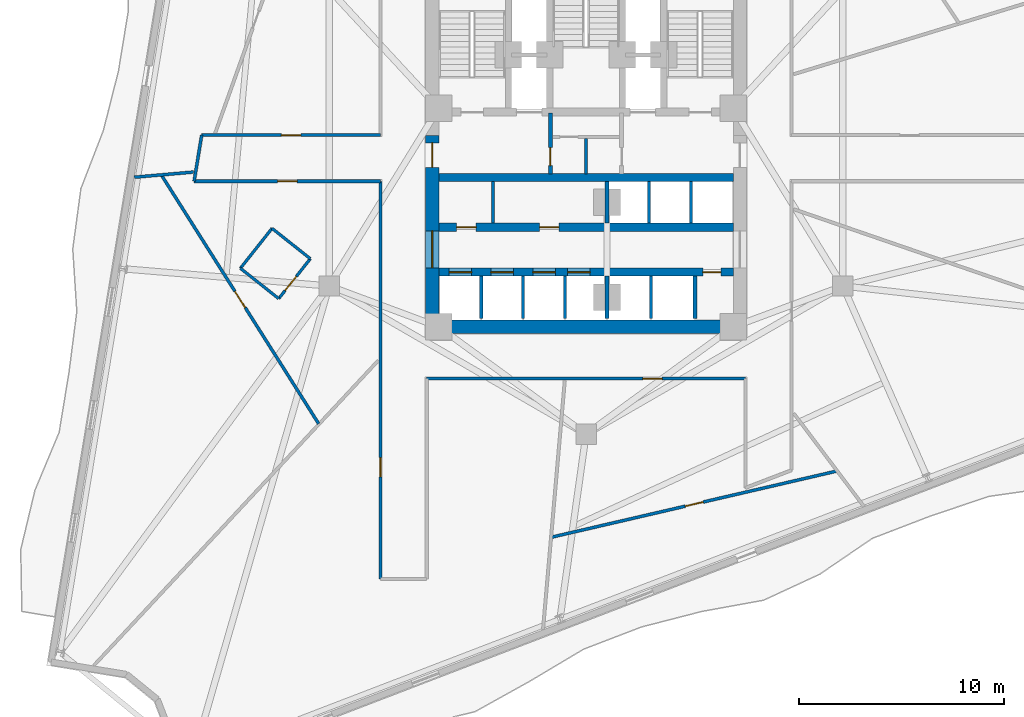
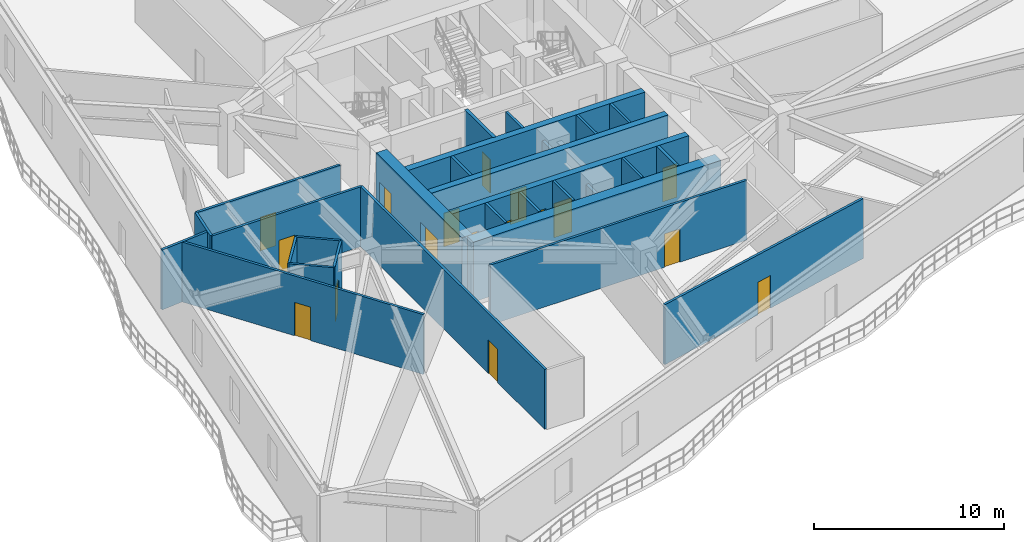
# One storey, part 4 of 10: 29 walls, 17 doors, 17 openings.
"""IFC4 building model written with IfcOpenShell, lengths in metres."""

import ifcopenshell
import ifcopenshell.guid

model = None  # the IFC model being written
_history = None  # IfcOwnerHistory: only IFC2X3 demands one
_inside = {}  # id of a spatial element -> (the spatial element, [elements in it])
_under = {}  # id of a project, library or spatial element -> (it, [spatial elements below it])
_declared = {}  # id of a project -> (the project, [libraries it declares])
_typed = {}  # id of a type object -> (the type object, [elements of that type])
_made_of = {}  # id of a material, layer set ... -> (it, [elements and type objects made of it])


def new_model(schema):
    """Start an empty IFC model of exactly this schema.

    Asked for "IFC4X3", IfcOpenShell would pick the latest addendum, in which some entities
    have other attributes; the version numbers below select the first issue.
    IFC2X3 requires an IfcOwnerHistory on every rooted entity: one is made here for all.
    """
    global model, _history
    if schema == "IFC4X3":
        model = ifcopenshell.file(schema_version=(4, 3, 0, 0))
    else:
        model = ifcopenshell.file(schema=schema)
    _inside.clear()
    _under.clear()
    _declared.clear()
    _typed.clear()
    _made_of.clear()
    _history = None
    if model.schema == "IFC2X3":
        org = make("IfcOrganization", Name="unknown")
        user = make(
            "IfcPersonAndOrganization",
            ThePerson=make("IfcPerson", FamilyName="unknown"),
            TheOrganization=org,
        )
        app = make(
            "IfcApplication",
            ApplicationDeveloper=org,
            Version="unknown",
            ApplicationFullName="unknown",
            ApplicationIdentifier="unknown",
        )
        _history = make(
            "IfcOwnerHistory",
            OwningUser=user,
            OwningApplication=app,
            ChangeAction="ADDED",
            CreationDate=0,
        )
    return model


def make(cls, **values):
    """One entity of the class cls with the attributes given. An attribute that is None is left unset."""
    return model.create_entity(
        cls, **{name: value for name, value in values.items() if value is not None}
    )


def rooted(cls, **values):
    """An entity with a GlobalId (a new one), such as an element, a storey or a relation."""
    return make(cls, GlobalId=ifcopenshell.guid.new(), OwnerHistory=_history, **values)


def si_unit(unit_type, name, prefix=None):
    """IfcSIUnit, for example si_unit("LENGTHUNIT", "METRE", prefix="MILLI")."""
    return make("IfcSIUnit", UnitType=unit_type, Prefix=prefix, Name=name)


def assignment(units):
    """IfcUnitAssignment: the units of a project."""
    return None if units is None else make("IfcUnitAssignment", Units=units)


def point(xyz):
    """IfcCartesianPoint."""
    return None if xyz is None else make("IfcCartesianPoint", Coordinates=xyz)


def direction(xyz):
    """IfcDirection."""
    return None if xyz is None else make("IfcDirection", DirectionRatios=xyz)


def frame(location, z_axis=None, x_axis=None):
    """IfcAxis2Placement3D, a coordinate frame: its origin and axes. An axis left out is left unset."""
    return make(
        "IfcAxis2Placement3D",
        Location=point(location),
        Axis=direction(z_axis),
        RefDirection=direction(x_axis),
    )


def frame_2d(location, x_axis=None):
    """IfcAxis2Placement2D, a coordinate frame in the plane: its origin and x axis."""
    return make(
        "IfcAxis2Placement2D", Location=point(location), RefDirection=direction(x_axis)
    )


def origin():
    """The frame at (0, 0, 0) with its axes left unset."""
    return frame((0.0, 0.0, 0.0))


def place(relative_to, where):
    """IfcLocalPlacement: puts the frame where relative to a parent placement (None: the world)."""
    return make(
        "IfcLocalPlacement", PlacementRelTo=relative_to, RelativePlacement=where
    )


def context(
    kind, dimensions, precision=None, world=None, true_north=None, identifier=None
):
    """IfcGeometricRepresentationContext, for example the 3D "Model" context."""
    return make(
        "IfcGeometricRepresentationContext",
        ContextIdentifier=identifier,
        ContextType=kind,
        CoordinateSpaceDimension=dimensions,
        Precision=precision,
        WorldCoordinateSystem=world,
        TrueNorth=true_north,
    )


def subcontext(parent, identifier, kind, view, scale=None):
    """IfcGeometricRepresentationSubContext, for example "Body" below "Model"."""
    return make(
        "IfcGeometricRepresentationSubContext",
        ContextIdentifier=identifier,
        ContextType=kind,
        ParentContext=parent,
        TargetScale=scale,
        TargetView=view,
    )


def project(units=None, contexts=None):
    """IfcProject with its units and contexts."""
    return rooted(
        "IfcProject",
        Name="project",
        RepresentationContexts=contexts,
        UnitsInContext=assignment(units),
    )


def spatial(cls, under=None, at=None, **own):
    """A site, building, storey or space (cls), placed at a placement, below another one or the project."""
    s = rooted(cls, ObjectPlacement=at, **own)
    if under is not None:
        _under.setdefault(under.id(), (under, []))[1].append(s)
    return s


def profile(cls, at=None, kind="AREA", **sizes):
    """A parametric profile (cls). Its sizes go by their IFC names, for example OverallWidth=200.0."""
    return make(cls, ProfileType=kind, Position=at, **sizes)


def rectangle(**sizes):
    """IfcRectangleProfileDef."""
    return profile("IfcRectangleProfileDef", **sizes)


def extrude(swept, where, along, depth):
    """IfcExtrudedAreaSolid: the profile swept, set in the frame where, extruded along a direction by depth."""
    return make(
        "IfcExtrudedAreaSolid",
        SweptArea=swept,
        Position=where,
        ExtrudedDirection=direction(along),
        Depth=depth,
    )


def shape(context_of_items, identifier, shape_type, items):
    """IfcShapeRepresentation: the items that make up one representation, for example the "Body"."""
    return make(
        "IfcShapeRepresentation",
        ContextOfItems=context_of_items,
        RepresentationIdentifier=identifier,
        RepresentationType=shape_type,
        Items=items,
    )


def material(Name=None, Category=None):
    """IfcMaterial."""
    return make("IfcMaterial", Name=Name, Category=Category)


def layer(
    of_material, thickness, ventilated=None, Name=None, Category=None, Priority=None
):
    """IfcMaterialLayer: one layer of a wall or slab, of a material (None: an air gap)."""
    return make(
        "IfcMaterialLayer",
        Material=of_material,
        LayerThickness=thickness,
        IsVentilated=ventilated,
        Name=Name,
        Category=Category,
        Priority=Priority,
    )


def layer_set(layers, Name=None):
    """IfcMaterialLayerSet."""
    return make("IfcMaterialLayerSet", MaterialLayers=layers, LayerSetName=Name)


def made_of(thing, what):
    """Note that an element or type object is made of a material, layer set ...; save() writes the relation."""
    if what is not None:
        _made_of.setdefault(what.id(), (what, []))[1].append(thing)
    return thing


def type_object(cls, material=None, **own):
    """A type object (cls), such as IfcWallType, which elements share."""
    return made_of(rooted(cls, **own), material)


def element(
    cls,
    number,
    at=None,
    inside=None,
    cuts=None,
    type_object=None,
    material=None,
    context=None,
    identifier="Body",
    shape_type=None,
    held_by="IfcProductDefinitionShape",
    body=None,
    shapes=None,
    **own,
):
    """One element of the class cls, such as IfcWall. Its Tag is "e" and its number.

    at: its placement. inside: the storey or other place that contains it. cuts: it is an
    opening in that element (IfcRelVoidsElement). A single representation is given by context,
    identifier, shape_type and body (its items); several are given by shapes. held_by: the class
    of the entity that holds the representations. save() writes the other relations.
    """
    e = rooted(cls, Tag="e%d" % number, ObjectPlacement=at, **own)
    if body is not None:
        shapes = [shape(context, identifier, shape_type, body)]
    if shapes is not None:
        e.Representation = make(held_by, Representations=shapes)
    if inside is not None:
        _inside.setdefault(inside.id(), (inside, []))[1].append(e)
    if cuts is not None:
        rooted(
            "IfcRelVoidsElement", RelatingBuildingElement=cuts, RelatedOpeningElement=e
        )
    if type_object is not None:
        _typed.setdefault(type_object.id(), (type_object, []))[1].append(e)
    return made_of(e, material)


def fill(opening, filler):
    """IfcRelFillsElement: the door or window that sits in an opening."""
    return rooted(
        "IfcRelFillsElement",
        RelatingOpeningElement=opening,
        RelatedBuildingElement=filler,
    )


def aggregate(whole, parts):
    """IfcRelAggregates: a whole, such as a stair, and the parts it consists of."""
    return rooted("IfcRelAggregates", RelatingObject=whole, RelatedObjects=parts)


def save(model, path):
    """Write the relations noted so far, then the file.

    IfcRelAggregates (storeys below a building ...), IfcRelContainedInSpatialStructure (elements
    in a storey), IfcRelDefinesByType, IfcRelAssociatesMaterial and IfcRelDeclares: one each for
    every whole, place, type object, material and project.
    """
    for whole, parts in _under.values():
        aggregate(whole, parts)
    for where, things in _inside.values():
        rooted(
            "IfcRelContainedInSpatialStructure",
            RelatedElements=things,
            RelatingStructure=where,
        )
    for kind, things in _typed.values():
        rooted("IfcRelDefinesByType", RelatedObjects=things, RelatingType=kind)
    for what, things in _made_of.values():
        rooted("IfcRelAssociatesMaterial", RelatedObjects=things, RelatingMaterial=what)
    for by, libraries in _declared.values():
        rooted("IfcRelDeclares", RelatingContext=by, RelatedDefinitions=libraries)
    model.write(path)


model = new_model("IFC4")

# Units and contexts
model_context = context("Model", 3, precision=1e-05, world=origin(), true_north=direction((0.0, 1.0)))
body_context = subcontext(model_context, "Body", "Model", "MODEL_VIEW")
ifc_project = project(units=[si_unit("LENGTHUNIT", "METRE"), si_unit("AREAUNIT", "SQUARE_METRE"), si_unit("VOLUMEUNIT", "CUBIC_METRE"), si_unit("PLANEANGLEUNIT", "RADIAN"), si_unit("MASSUNIT", "GRAM", prefix="KILO")], contexts=[model_context])

# Site, building, storey
site_placement = place(None, origin())
site = spatial("IfcSite", under=ifc_project, at=site_placement, CompositionType="ELEMENT")
building_placement = place(site_placement, origin())
building = spatial("IfcBuilding", under=site, at=building_placement, Name="Apsidion Concourse Tower", CompositionType="ELEMENT")
storey_placement = place(building_placement, frame((0.0, 0.0, 144.5)))
storey = spatial("IfcBuildingStorey", under=building, at=storey_placement, Name="L33", CompositionType="ELEMENT", Elevation=144.5)

# Walls
ifc_material_1 = material(Name="Gypsum plasterboard partition")
ifc_layer_1 = layer(ifc_material_1, 0.139892578125)
ifc_layer_set_1 = layer_set([ifc_layer_1], Name="Gypsum plasterboard partition")
wall_type_1 = type_object("IfcWallType", Name="WL-INT-PAR-140", PredefinedType="PARTITIONING", material=ifc_layer_set_1)
wall_1_placement = place(storey_placement, frame((-15.35400390625, -4.432861328125, 0.0), z_axis=(0.0, 0.0, 1.0), x_axis=(-0.621077092267, -0.783749478763, 0.0)))
element("IfcWall", 1, at=wall_1_placement, inside=storey, type_object=wall_type_1, Name="L33 Interior Partition WL-L33-POD-OFAWC-S1", PredefinedType="PARTITIONING", context=body_context, shape_type="SweptSolid", body=[
    extrude(rectangle(XDim=2.48974609375, YDim=0.139892578125, at=frame_2d((1.244873046875, 0.0))), origin(), (0.0, 0.0, 1.0), 3.85009765625),
])
wall_2_placement = place(storey_placement, frame((-16.900390625, -6.38427734375, 0.0), z_axis=(0.0, 0.0, 1.0), x_axis=(0.783641720923, -0.621213049789, 0.0)))
element("IfcWall", 2, at=wall_2_placement, inside=storey, type_object=wall_type_1, Name="L33 Interior Partition WL-L33-POD-OFAWC-S2", PredefinedType="PARTITIONING", context=body_context, shape_type="SweptSolid", body=[
    extrude(rectangle(XDim=2.389892578125, YDim=0.139892578125, at=frame_2d((1.19482421875, 0.0))), origin(), (0.0, 0.0, 1.0), 3.85009765625),
])

# Wall, opening, door
wall_3_placement = place(storey_placement, frame((-15.027587890625, -7.868896484375, 0.0), z_axis=(0.0, 0.0, 1.0), x_axis=(0.621137318029, 0.783701749488, 0.0)))
wall_3 = element("IfcWall", 3, at=wall_3_placement, inside=storey, type_object=wall_type_1, Name="L33 Interior Partition WL-L33-POD-OFAWC-S3", PredefinedType="PARTITIONING", context=body_context, shape_type="SweptSolid", body=[
    extrude(rectangle(XDim=2.489990234375, YDim=0.139892578125, at=frame_2d((1.2451171875, 0.0))), origin(), (0.0, 0.0, 1.0), 3.85009765625),
])
opening_1_placement = place(wall_3_placement, frame((0.5048828125, 0.0, 0.0)))
opening_1 = element("IfcOpeningElement", 4, at=opening_1_placement, cuts=wall_3, Name="Opening D-03R", PredefinedType="OPENING", context=body_context, shape_type="SweptSolid", body=[
    extrude(rectangle(XDim=0.8798828125, YDim=2.10009765625, at=frame_2d((0.43994140625, 1.050048828125))), frame((0.0, 0.080078125, 0.0), z_axis=(0.0, -1.0, 0.0), x_axis=(1.0, 0.0, 0.0)), (0.0, 0.0, 1.0), 0.159912109375),
])
ifc_material_2 = material(Name="Anodised aluminium EN AW-6063 T6", Category="aluminium")
door_type_1 = type_object("IfcDoorType", Name="DR-INT-D03R", OperationType="SINGLE_SWING_RIGHT", PredefinedType="DOOR", material=ifc_material_2)
door_1_placement = place(opening_1_placement, origin())
door_1 = element("IfcDoor", 5, at=door_1_placement, inside=storey, type_object=door_type_1, Name="L33 Office Accessible WC Door OFAWC", OperationType="SINGLE_SWING_RIGHT", OverallHeight=2.10009765625, OverallWidth=0.8798828125, PredefinedType="DOOR", context=body_context, shape_type="SweptSolid", body=[
    extrude(rectangle(XDim=0.8798828125, YDim=2.10009765625, at=frame_2d((0.43994140625, 1.050048828125))), frame((0.0, 0.02490234375, 0.0), z_axis=(0.0, -1.0, 0.0), x_axis=(1.0, 0.0, 0.0)), (0.0, 0.0, 1.0), 0.050048828125),
])
fill(opening_1, door_1)

# Walls
wall_4_placement = place(storey_placement, frame((-13.48095703125, -5.91748046875, 0.0), z_axis=(0.0, 0.0, 1.0), x_axis=(-0.783681138921, 0.621163321921, 0.0)))
element("IfcWall", 6, at=wall_4_placement, inside=storey, type_object=wall_type_1, Name="L33 Interior Partition WL-L33-POD-OFAWC-S4", PredefinedType="PARTITIONING", context=body_context, shape_type="SweptSolid", body=[
    extrude(rectangle(XDim=2.39013671875, YDim=0.139892578125, at=frame_2d((1.195068359375, 0.0))), origin(), (0.0, 0.0, 1.0), 3.85009765625),
])
ifc_layer_2 = layer(ifc_material_1, 0.14990234375)
ifc_layer_set_2 = layer_set([ifc_layer_2], Name="Gypsum plasterboard partition")
wall_type_2 = type_object("IfcWallType", Name="WL-INT-PAR-150", PredefinedType="PARTITIONING", material=ifc_layer_set_2)
for number, where, z_axis, x_axis, name in (
    (7, (-4.550048828125, -4.179931640625, 0.0), (0.0, 0.0, 1.0), (0.0, 1.0, 0.0), "L33 Interior Partition WL-L33-B1RV1"),
    (8, (3.074951171875, -4.179931640625, 0.0), (0.0, 0.0, 1.0), (0.0, 1.0, 0.0), "L33 Interior Partition WL-L33-B3DIV-1"),
    (9, (5.125, -4.179931640625, 0.0), (0.0, 0.0, 1.0), (0.0, 1.0, 0.0), "L33 Interior Partition WL-L33-B3DIV-2"),
):
    element("IfcWall", number, at=place(storey_placement, frame(where, z_axis=z_axis, x_axis=x_axis)), inside=storey, type_object=wall_type_2, Name=name, PredefinedType="PARTITIONING", context=body_context, shape_type="SweptSolid", body=[
        extrude(rectangle(XDim=2.030029296875, YDim=0.14990234375, at=frame_2d((1.01513671875, 0.0))), origin(), (0.0, 0.0, 1.0), 3.85009765625),
    ])
for number, where, z_axis, x_axis, name in (
    (10, (-5.125, -8.85009765625, 0.0), (0.0, 0.0, 1.0), (0.0, 1.0, 0.0), "L33 Interior Partition WL-L33-B2DIV-1"),
    (11, (-3.074951171875, -8.85009765625, 0.0), (0.0, 0.0, 1.0), (0.0, 1.0, 0.0), "L33 Interior Partition WL-L33-B2DIV-2"),
    (12, (-1.02490234375, -8.85009765625, 0.0), (0.0, 0.0, 1.0), (0.0, 1.0, 0.0), "L33 Interior Partition WL-L33-B2DIV-3"),
    (13, (3.175048828125, -8.85009765625, 0.0), (0.0, 0.0, 1.0), (0.0, 1.0, 0.0), "L33 Interior Partition WL-L33-SHDIV-1"),
):
    element("IfcWall", number, at=place(storey_placement, frame(where, z_axis=z_axis, x_axis=x_axis)), inside=storey, type_object=wall_type_2, Name=name, PredefinedType="PARTITIONING", context=body_context, shape_type="SweptSolid", body=[
        extrude(rectangle(XDim=2.080078125, YDim=0.14990234375, at=frame_2d((1.0400390625, 0.0))), origin(), (0.0, 0.0, 1.0), 3.85009765625),
    ])
wall_5_placement = place(storey_placement, frame((0.0, -1.780029296875, 0.0), z_axis=(0.0, 0.0, 1.0), x_axis=(0.0, 1.0, 0.0)))
element("IfcWall", 14, at=wall_5_placement, inside=storey, type_object=wall_type_2, Name="L33 Interior Partition WL-L33-K4V", PredefinedType="PARTITIONING", context=body_context, shape_type="SweptSolid", body=[
    extrude(rectangle(XDim=1.72998046875, YDim=0.14990234375, at=frame_2d((0.864990234375, 0.0))), origin(), (0.0, 0.0, 1.0), 3.85009765625),
])

# Wall, opening, door
wall_6_placement = place(storey_placement, frame((7.7900390625, -11.77490234375, 0.0), z_axis=(0.0, 0.0, 1.0), x_axis=(-1.0, 0.0, 0.0)))
wall_6 = element("IfcWall", 15, at=wall_6_placement, inside=storey, type_object=wall_type_2, Name="L33 Interior Partition WL-L33-CORR-03", PredefinedType="PARTITIONING", context=body_context, shape_type="SweptSolid", body=[
    extrude(rectangle(XDim=15.580078125, YDim=0.14990234375, at=frame_2d((7.7900390625, 0.0))), origin(), (0.0, 0.0, 1.0), 3.85009765625),
])
opening_2_placement = place(wall_6_placement, frame((4.066650390625, 0.0, 0.0)))
opening_2 = element("IfcOpeningElement", 16, at=opening_2_placement, cuts=wall_6, Name="Opening D-01L", PredefinedType="OPENING", context=body_context, shape_type="SweptSolid", body=[
    extrude(rectangle(XDim=0.949951171875, YDim=2.14990234375, at=frame_2d((0.47509765625, 1.074951171875))), frame((0.0, 0.0849609375, 0.0), z_axis=(0.0, -1.0, 0.0), x_axis=(1.0, 0.0, 0.0)), (0.0, 0.0, 1.0), 0.169921875),
])
ifc_material_3 = material(Name="Brushed stainless steel 316", Category="steel")
door_type_2 = type_object("IfcDoorType", Name="DR-INT-D01L", OperationType="SINGLE_SWING_LEFT", PredefinedType="DOOR", material=ifc_material_3)
door_2_placement = place(opening_2_placement, origin())
door_2 = element("IfcDoor", 17, at=door_2_placement, inside=storey, type_object=door_type_2, Name="L33 Corridor Entry Door 03", OperationType="SINGLE_SWING_LEFT", OverallHeight=2.14990234375, OverallWidth=0.949951171875, PredefinedType="DOOR", context=body_context, shape_type="SweptSolid", body=[
    extrude(rectangle(XDim=0.949951171875, YDim=2.14990234375, at=frame_2d((0.47509765625, 1.074951171875))), frame((0.0, 0.02490234375, 0.0), z_axis=(0.0, -1.0, 0.0), x_axis=(1.0, 0.0, 0.0)), (0.0, 0.0, 1.0), 0.050048828125),
])
fill(opening_2, door_2)

wall_7_placement = place(storey_placement, frame((-10.050048828125, -21.580078125, 0.0), z_axis=(0.0, 0.0, 1.0), x_axis=(0.0, 1.0, 0.0)))
wall_7 = element("IfcWall", 18, at=wall_7_placement, inside=storey, type_object=wall_type_2, Name="L33 Interior Partition WL-L33-CORR-06", PredefinedType="PARTITIONING", context=body_context, shape_type="SweptSolid", body=[
    extrude(rectangle(XDim=19.4501953125, YDim=0.14990234375, at=frame_2d((9.72509765625, 0.0))), origin(), (0.0, 0.0, 1.0), 3.85009765625),
])
opening_3_placement = place(wall_7_placement, frame((4.990478515625, 0.0, 0.0)))
opening_3 = element("IfcOpeningElement", 19, at=opening_3_placement, cuts=wall_7, Name="Opening D-01R", PredefinedType="OPENING", context=body_context, shape_type="SweptSolid", body=[
    extrude(rectangle(XDim=0.949951171875, YDim=2.14990234375, at=frame_2d((0.47509765625, 1.074951171875))), frame((0.0, 0.0849609375, 0.0), z_axis=(0.0, -1.0, 0.0), x_axis=(1.0, 0.0, 0.0)), (0.0, 0.0, 1.0), 0.169921875),
])
door_type_3 = type_object("IfcDoorType", Name="DR-INT-D01R", OperationType="SINGLE_SWING_RIGHT", PredefinedType="DOOR", material=ifc_material_3)
door_3_placement = place(opening_3_placement, origin())
door_3 = element("IfcDoor", 20, at=door_3_placement, inside=storey, type_object=door_type_3, Name="L33 Corridor Entry Door 02", OperationType="SINGLE_SWING_RIGHT", OverallHeight=2.14990234375, OverallWidth=0.949951171875, PredefinedType="DOOR", context=body_context, shape_type="SweptSolid", body=[
    extrude(rectangle(XDim=0.949951171875, YDim=2.14990234375, at=frame_2d((0.47509765625, 1.074951171875))), frame((0.0, 0.02490234375, 0.0), z_axis=(0.0, -1.0, 0.0), x_axis=(1.0, 0.0, 0.0)), (0.0, 0.0, 1.0), 0.050048828125),
])
fill(opening_3, door_3)

wall_8_placement = place(storey_placement, frame((-10.050048828125, -2.1298828125, 0.0), z_axis=(0.0, 0.0, 1.0), x_axis=(-1.0, 0.0, 0.0)))
wall_8 = element("IfcWall", 21, at=wall_8_placement, inside=storey, type_object=wall_type_2, Name="L33 Interior Partition WL-L33-CORR-07", PredefinedType="PARTITIONING", context=body_context, shape_type="SweptSolid", body=[
    extrude(rectangle(XDim=9.1142578125, YDim=0.14990234375, at=frame_2d((4.55712890625, 0.0))), origin(), (0.0, 0.0, 1.0), 3.85009765625),
])
opening_4_placement = place(wall_8_placement, frame((4.082275390625, 0.0, 0.0)))
opening_4 = element("IfcOpeningElement", 22, at=opening_4_placement, cuts=wall_8, Name="Opening D-01L", PredefinedType="OPENING", context=body_context, shape_type="SweptSolid", body=[
    extrude(rectangle(XDim=0.949951171875, YDim=2.14990234375, at=frame_2d((0.47509765625, 1.074951171875))), frame((0.0, 0.0849609375, 0.0), z_axis=(0.0, -1.0, 0.0), x_axis=(1.0, 0.0, 0.0)), (0.0, 0.0, 1.0), 0.169921875),
])
door_4_placement = place(opening_4_placement, origin())
door_4 = element("IfcDoor", 23, at=door_4_placement, inside=storey, type_object=door_type_2, Name="L33 Corridor Entry Door 01", OperationType="SINGLE_SWING_LEFT", OverallHeight=2.14990234375, OverallWidth=0.949951171875, PredefinedType="DOOR", context=body_context, shape_type="SweptSolid", body=[
    extrude(rectangle(XDim=0.949951171875, YDim=2.14990234375, at=frame_2d((0.47509765625, 1.074951171875))), frame((0.0, 0.02490234375, 0.0), z_axis=(0.0, -1.0, 0.0), x_axis=(1.0, 0.0, 0.0)), (0.0, 0.0, 1.0), 0.050048828125),
])
fill(opening_4, door_4)

# Wall
wall_9_placement = place(storey_placement, frame((-19.164306640625, -2.1298828125, 0.0), z_axis=(0.0, 0.0, 1.0), x_axis=(0.161943522339, 0.986800028158, 0.0)))
element("IfcWall", 24, at=wall_9_placement, inside=storey, type_object=wall_type_2, Name="L33 Interior Partition WL-L33-CORR-08", PredefinedType="PARTITIONING", context=body_context, shape_type="SweptSolid", body=[
    extrude(rectangle(XDim=2.2900390625, YDim=0.14990234375, at=frame_2d((1.14501953125, 0.0))), origin(), (0.0, 0.0, 1.0), 3.85009765625),
])

# Wall, opening, door
wall_10_placement = place(storey_placement, frame((-18.79345703125, 0.1298828125, 0.0), z_axis=(0.0, 0.0, 1.0), x_axis=(1.0, 0.0, 0.0)))
wall_10 = element("IfcWall", 25, at=wall_10_placement, inside=storey, type_object=wall_type_2, Name="L33 Interior Partition WL-L33-CORR-09", PredefinedType="PARTITIONING", context=body_context, shape_type="SweptSolid", body=[
    extrude(rectangle(XDim=8.743408203125, YDim=0.14990234375, at=frame_2d((4.37158203125, 0.0))), origin(), (0.0, 0.0, 1.0), 3.85009765625),
])
opening_5_placement = place(wall_10_placement, frame((3.896728515625, 0.0, 0.0)))
opening_5 = element("IfcOpeningElement", 26, at=opening_5_placement, cuts=wall_10, Name="Opening D-01L", PredefinedType="OPENING", context=body_context, shape_type="SweptSolid", body=[
    extrude(rectangle(XDim=0.949951171875, YDim=2.14990234375, at=frame_2d((0.47509765625, 1.074951171875))), frame((0.0, 0.0849609375, 0.0), z_axis=(0.0, -1.0, 0.0), x_axis=(1.0, 0.0, 0.0)), (0.0, 0.0, 1.0), 0.169921875),
])
door_5_placement = place(opening_5_placement, origin())
door_5 = element("IfcDoor", 27, at=door_5_placement, inside=storey, type_object=door_type_2, Name="L33 Corridor Entry Door 09", OperationType="SINGLE_SWING_LEFT", OverallHeight=2.14990234375, OverallWidth=0.949951171875, PredefinedType="DOOR", context=body_context, shape_type="SweptSolid", body=[
    extrude(rectangle(XDim=0.949951171875, YDim=2.14990234375, at=frame_2d((0.47509765625, 1.074951171875))), frame((0.0, 0.02490234375, 0.0), z_axis=(0.0, -1.0, 0.0), x_axis=(1.0, 0.0, 0.0)), (0.0, 0.0, 1.0), 0.050048828125),
])
fill(opening_5, door_5)

# Wall
wall_11_placement = place(storey_placement, frame((-19.197021484375, -1.679443359375, 0.0), z_axis=(0.0, 0.0, 1.0), x_axis=(-0.996195359261, -0.087148185216, 0.0)))
element("IfcWall", 28, at=wall_11_placement, inside=storey, type_object=wall_type_2, Name="L33 Interior Partition WL-L33-RAD-05-1", PredefinedType="PARTITIONING", context=body_context, shape_type="SweptSolid", body=[
    extrude(rectangle(XDim=2.905029296875, YDim=0.14990234375, at=frame_2d((1.45263671875, 0.0))), origin(), (0.0, 0.0, 1.0), 3.85009765625),
])

# Wall, opening, door
wall_12_placement = place(storey_placement, frame((-20.753662109375, -1.8408203125, 0.0), z_axis=(0.0, 0.0, 1.0), x_axis=(0.53443787688, -0.84520775893, 0.0)))
wall_12 = element("IfcWall", 29, at=wall_12_placement, inside=storey, type_object=wall_type_2, Name="L33 Interior Partition WL-L33-CHD-OFWC", PredefinedType="PARTITIONING", context=body_context, shape_type="SweptSolid", body=[
    extrude(rectangle(XDim=14.367919921875, YDim=0.14990234375, at=frame_2d((7.18408203125, 0.0))), origin(), (0.0, 0.0, 1.0), 3.85009765625),
])
opening_6_placement = place(wall_12_placement, frame((6.708984375, 0.0, 0.0)))
opening_6 = element("IfcOpeningElement", 30, at=opening_6_placement, cuts=wall_12, Name="Opening D-04L", PredefinedType="OPENING", context=body_context, shape_type="SweptSolid", body=[
    extrude(rectangle(XDim=0.949951171875, YDim=2.14990234375, at=frame_2d((0.47509765625, 1.074951171875))), frame((0.0, 0.0849609375, 0.0), z_axis=(0.0, -1.0, 0.0), x_axis=(1.0, 0.0, 0.0)), (0.0, 0.0, 1.0), 0.169921875),
])
door_type_4 = type_object("IfcDoorType", Name="DR-INT-D04L", OperationType="SINGLE_SWING_LEFT", PredefinedType="DOOR", material=ifc_material_3)
door_6_placement = place(opening_6_placement, origin())
door_6 = element("IfcDoor", 31, at=door_6_placement, inside=storey, type_object=door_type_4, Name="L33 Suite Connecting Door OFWC", OperationType="SINGLE_SWING_LEFT", OverallHeight=2.14990234375, OverallWidth=0.949951171875, PredefinedType="DOOR", context=body_context, shape_type="SweptSolid", body=[
    extrude(rectangle(XDim=0.949951171875, YDim=2.14990234375, at=frame_2d((0.47509765625, 1.074951171875))), frame((0.0, 0.02490234375, 0.0), z_axis=(0.0, -1.0, 0.0), x_axis=(1.0, 0.0, 0.0)), (0.0, 0.0, 1.0), 0.050048828125),
])
fill(opening_6, door_6)

wall_13_placement = place(storey_placement, frame((-1.683837890625, -19.53271484375, 0.0), z_axis=(0.0, 0.0, 1.0), x_axis=(0.974168973581, 0.225820306685, 0.0)))
wall_13 = element("IfcWall", 32, at=wall_13_placement, inside=storey, type_object=wall_type_2, Name="L33 Interior Partition WL-L33-CHD-OFS02", PredefinedType="PARTITIONING", context=body_context, shape_type="SweptSolid", body=[
    extrude(rectangle(XDim=14.306640625, YDim=0.14990234375, at=frame_2d((7.1533203125, 0.0))), origin(), (0.0, 0.0, 1.0), 3.85009765625),
])
opening_7_placement = place(wall_13_placement, frame((6.703369140625, 0.0, 0.0)))
opening_7 = element("IfcOpeningElement", 33, at=opening_7_placement, cuts=wall_13, Name="Opening D-02L", PredefinedType="OPENING", context=body_context, shape_type="SweptSolid", body=[
    extrude(rectangle(XDim=0.89990234375, YDim=2.10009765625, at=frame_2d((0.449951171875, 1.050048828125))), frame((0.0, 0.0849609375, 0.0), z_axis=(0.0, -1.0, 0.0), x_axis=(1.0, 0.0, 0.0)), (0.0, 0.0, 1.0), 0.169921875),
])
door_type_5 = type_object("IfcDoorType", Name="DR-INT-D02L", OperationType="SINGLE_SWING_LEFT", PredefinedType="DOOR", material=ifc_material_2)
door_7_placement = place(opening_7_placement, origin())
door_7 = element("IfcDoor", 34, at=door_7_placement, inside=storey, type_object=door_type_5, Name="L33 Suite Connecting Door OFS02", OperationType="SINGLE_SWING_LEFT", OverallHeight=2.10009765625, OverallWidth=0.89990234375, PredefinedType="DOOR", context=body_context, shape_type="SweptSolid", body=[
    extrude(rectangle(XDim=0.89990234375, YDim=2.10009765625, at=frame_2d((0.449951171875, 1.050048828125))), frame((0.0, 0.02490234375, 0.0), z_axis=(0.0, -1.0, 0.0), x_axis=(1.0, 0.0, 0.0)), (0.0, 0.0, 1.0), 0.050048828125),
])
fill(opening_7, door_7)

# Walls
ifc_layer_3 = layer(ifc_material_1, 0.179931640625)
ifc_layer_set_3 = layer_set([ifc_layer_3], Name="Gypsum plasterboard partition")
wall_type_3 = type_object("IfcWallType", Name="WL-INT-PAR-180", PredefinedType="PARTITIONING", material=ifc_layer_set_3)
wall_14_placement = place(storey_placement, frame((1.02490234375, -4.179931640625, 0.0), z_axis=(0.0, 0.0, 1.0), x_axis=(0.0, 1.0, 0.0)))
element("IfcWall", 35, at=wall_14_placement, inside=storey, type_object=wall_type_3, Name="L33 Interior Partition WL-L33-B1END", PredefinedType="PARTITIONING", context=body_context, shape_type="SweptSolid", body=[
    extrude(rectangle(XDim=2.030029296875, YDim=0.179931640625, at=frame_2d((1.01513671875, 0.0))), origin(), (0.0, 0.0, 1.0), 2.89794921875),
])
wall_15_placement = place(storey_placement, frame((1.02490234375, -8.85009765625, 0.0), z_axis=(0.0, 0.0, 1.0), x_axis=(0.0, 1.0, 0.0)))
element("IfcWall", 36, at=wall_15_placement, inside=storey, type_object=wall_type_3, Name="L33 Interior Partition WL-L33-B2END", PredefinedType="PARTITIONING", context=body_context, shape_type="SweptSolid", body=[
    extrude(rectangle(XDim=2.080078125, YDim=0.179931640625, at=frame_2d((1.0400390625, 0.0))), origin(), (0.0, 0.0, 1.0), 2.89794921875),
])
wall_16_placement = place(storey_placement, frame((5.324951171875, -8.85009765625, 0.0), z_axis=(0.0, 0.0, 1.0), x_axis=(0.0, 1.0, 0.0)))
element("IfcWall", 37, at=wall_16_placement, inside=storey, type_object=wall_type_3, Name="L33 Interior Partition WL-L33-SHDIV-2", PredefinedType="PARTITIONING", context=body_context, shape_type="SweptSolid", body=[
    extrude(rectangle(XDim=2.080078125, YDim=0.179931640625, at=frame_2d((1.0400390625, 0.0))), origin(), (0.0, 0.0, 1.0), 3.85009765625),
])

# Wall, opening, door
ifc_layer_4 = layer(ifc_material_1, 0.199951171875)
ifc_layer_set_4 = layer_set([ifc_layer_4], Name="Gypsum plasterboard partition")
wall_type_4 = type_object("IfcWallType", Name="WL-INT-PAR-200", PredefinedType="PARTITIONING", material=ifc_layer_set_4)
wall_17_placement = place(storey_placement, frame((-1.739990234375, -1.780029296875, 0.0), z_axis=(0.0, 0.0, 1.0), x_axis=(0.0, 1.0, 0.0)))
wall_17 = element("IfcWall", 38, at=wall_17_placement, inside=storey, type_object=wall_type_4, Name="L33 Interior Partition WL-L33-FF1-E", PredefinedType="PARTITIONING", context=body_context, shape_type="SweptSolid", body=[
    extrude(rectangle(XDim=2.97998046875, YDim=0.199951171875, at=frame_2d((1.489990234375, 0.0))), origin(), (0.0, 0.0, 1.0), 3.85009765625),
])
opening_8_placement = place(wall_17_placement, frame((0.419921875, 0.0, 0.0)))
opening_8 = element("IfcOpeningElement", 39, at=opening_8_placement, cuts=wall_17, Name="Opening D-05R", PredefinedType="OPENING", context=body_context, shape_type="SweptSolid", body=[
    extrude(rectangle(XDim=0.8798828125, YDim=2.14990234375, at=frame_2d((0.43994140625, 1.074951171875))), frame((0.0, 0.10986328125, 0.0), z_axis=(0.0, -1.0, 0.0), x_axis=(1.0, 0.0, 0.0)), (0.0, 0.0, 1.0), 0.219970703125),
])
door_type_6 = type_object("IfcDoorType", Name="DR-INT-D05R", OperationType="SINGLE_SWING_RIGHT", PredefinedType="DOOR", material=ifc_material_3)
door_8_placement = place(opening_8_placement, origin())
door_8 = element("IfcDoor", 40, at=door_8_placement, inside=storey, type_object=door_type_6, Name="L33 Core Switch Room Door", OperationType="SINGLE_SWING_RIGHT", OverallHeight=2.14990234375, OverallWidth=0.8798828125, PredefinedType="DOOR", context=body_context, shape_type="SweptSolid", body=[
    extrude(rectangle(XDim=0.8798828125, YDim=2.14990234375, at=frame_2d((0.43994140625, 1.074951171875))), frame((0.0, 0.02490234375, 0.0), z_axis=(0.0, -1.0, 0.0), x_axis=(1.0, 0.0, 0.0)), (0.0, 0.0, 1.0), 0.050048828125),
])
fill(opening_8, door_8)

# Wall
ifc_material_4 = material(Name="Concrete C50/60", Category="concrete")
ifc_layer_5 = layer(ifc_material_4, 0.39990234375)
ifc_layer_set_5 = layer_set([ifc_layer_5], Name="Concrete C50/60")
wall_type_5 = type_object("IfcWallType", Name="WL-SH-400", PredefinedType="SHEAR", material=ifc_layer_set_5)
wall_18_placement = place(storey_placement, frame((-7.199951171875, -1.949951171875, 0.0), z_axis=(0.0, 0.0, 1.0), x_axis=(1.0, 0.0, 0.0)))
element("IfcWall", 41, at=wall_18_placement, inside=storey, type_object=wall_type_5, Name="L33 Central Core Shear Wall M2", PredefinedType="SHEAR", context=body_context, shape_type="SweptSolid", body=[
    extrude(rectangle(XDim=14.39990234375, YDim=0.39990234375, at=frame_2d((7.199951171875, 0.0))), origin(), (0.0, 0.0, 1.0), 3.85009765625),
])

# Wall, openings, doors
wall_19_placement = place(storey_placement, frame((-7.199951171875, -4.3798828125, 0.0), z_axis=(0.0, 0.0, 1.0), x_axis=(1.0, 0.0, 0.0)))
wall_19 = element("IfcWall", 42, at=wall_19_placement, inside=storey, type_object=wall_type_5, Name="L33 Central Core Shear Wall LA", PredefinedType="SHEAR", context=body_context, shape_type="SweptSolid", body=[
    extrude(rectangle(XDim=14.39990234375, YDim=0.39990234375, at=frame_2d((7.199951171875, 0.0))), origin(), (0.0, 0.0, 1.0), 3.85009765625),
])
opening_9_placement = place(wall_19_placement, frame((0.875, 0.0, 0.0)))
opening_9 = element("IfcOpeningElement", 43, at=opening_9_placement, cuts=wall_19, Name="Opening D-04L", PredefinedType="OPENING", context=body_context, shape_type="SweptSolid", body=[
    extrude(rectangle(XDim=0.949951171875, YDim=2.14990234375, at=frame_2d((0.47509765625, 1.074951171875))), frame((0.0, 0.2099609375, 0.0), z_axis=(0.0, -1.0, 0.0), x_axis=(1.0, 0.0, 0.0)), (0.0, 0.0, 1.0), 0.419921875),
])
opening_10_placement = place(wall_19_placement, frame((4.925048828125, 0.0, 0.0)))
opening_10 = element("IfcOpeningElement", 44, at=opening_10_placement, cuts=wall_19, Name="Opening D-04R", PredefinedType="OPENING", context=body_context, shape_type="SweptSolid", body=[
    extrude(rectangle(XDim=0.949951171875, YDim=2.14990234375, at=frame_2d((0.47509765625, 1.074951171875))), frame((0.0, 0.2099609375, 0.0), z_axis=(0.0, -1.0, 0.0), x_axis=(1.0, 0.0, 0.0)), (0.0, 0.0, 1.0), 0.419921875),
])
door_9_placement = place(opening_9_placement, origin())
door_9 = element("IfcDoor", 45, at=door_9_placement, inside=storey, type_object=door_type_4, Name="L33 Core Supply Store Door", OperationType="SINGLE_SWING_LEFT", OverallHeight=2.14990234375, OverallWidth=0.949951171875, PredefinedType="DOOR", context=body_context, shape_type="SweptSolid", body=[
    extrude(rectangle(XDim=0.949951171875, YDim=2.14990234375, at=frame_2d((0.47509765625, 1.074951171875))), frame((0.0, 0.02490234375, 0.0), z_axis=(0.0, -1.0, 0.0), x_axis=(1.0, 0.0, 0.0)), (0.0, 0.0, 1.0), 0.050048828125),
])
fill(opening_9, door_9)
door_type_7 = type_object("IfcDoorType", Name="DR-INT-D04R", OperationType="SINGLE_SWING_RIGHT", PredefinedType="DOOR", material=ifc_material_3)
door_10_placement = place(opening_10_placement, origin())
door_10 = element("IfcDoor", 46, at=door_10_placement, inside=storey, type_object=door_type_7, Name="L33 Core Data and Print Room Door", OperationType="SINGLE_SWING_RIGHT", OverallHeight=2.14990234375, OverallWidth=0.949951171875, PredefinedType="DOOR", context=body_context, shape_type="SweptSolid", body=[
    extrude(rectangle(XDim=0.949951171875, YDim=2.14990234375, at=frame_2d((0.47509765625, 1.074951171875))), frame((0.0, 0.02490234375, 0.0), z_axis=(0.0, -1.0, 0.0), x_axis=(1.0, 0.0, 0.0)), (0.0, 0.0, 1.0), 0.050048828125),
])
fill(opening_10, door_10)

wall_20_placement = place(storey_placement, frame((-7.199951171875, -6.570068359375, 0.0), z_axis=(0.0, 0.0, 1.0), x_axis=(1.0, 0.0, 0.0)))
wall_20 = element("IfcWall", 47, at=wall_20_placement, inside=storey, type_object=wall_type_5, Name="L33 Central Core Shear Wall LB", PredefinedType="SHEAR", context=body_context, shape_type="SweptSolid", body=[
    extrude(rectangle(XDim=14.39990234375, YDim=0.39990234375, at=frame_2d((7.199951171875, 0.0))), origin(), (0.0, 0.0, 1.0), 3.85009765625),
])
opening_11_placement = place(wall_20_placement, frame((0.5, 0.0, 0.0)))
opening_11 = element("IfcOpeningElement", 48, at=opening_11_placement, cuts=wall_20, Name="Opening LD-P1", PredefinedType="OPENING", context=body_context, shape_type="SweptSolid", body=[
    extrude(rectangle(XDim=1.10009765625, YDim=2.199951171875, at=frame_2d((0.550048828125, 1.10009765625))), frame((0.0, 0.2099609375, 0.0), z_axis=(0.0, -1.0, 0.0), x_axis=(1.0, 0.0, 0.0)), (0.0, 0.0, 1.0), 0.419921875),
])
opening_12_placement = place(wall_20_placement, frame((2.550048828125, 0.0, 0.0)))
opening_12 = element("IfcOpeningElement", 49, at=opening_12_placement, cuts=wall_20, Name="Opening LD-P1", PredefinedType="OPENING", context=body_context, shape_type="SweptSolid", body=[
    extrude(rectangle(XDim=1.10009765625, YDim=2.199951171875, at=frame_2d((0.550048828125, 1.10009765625))), frame((0.0, 0.2099609375, 0.0), z_axis=(0.0, -1.0, 0.0), x_axis=(1.0, 0.0, 0.0)), (0.0, 0.0, 1.0), 0.419921875),
])
opening_13_placement = place(wall_20_placement, frame((4.60009765625, 0.0, 0.0)))
opening_13 = element("IfcOpeningElement", 50, at=opening_13_placement, cuts=wall_20, Name="Opening LD-P1", PredefinedType="OPENING", context=body_context, shape_type="SweptSolid", body=[
    extrude(rectangle(XDim=1.10009765625, YDim=2.199951171875, at=frame_2d((0.550048828125, 1.10009765625))), frame((0.0, 0.2099609375, 0.0), z_axis=(0.0, -1.0, 0.0), x_axis=(1.0, 0.0, 0.0)), (0.0, 0.0, 1.0), 0.419921875),
])
opening_14_placement = place(wall_20_placement, frame((6.300048828125, 0.0, 0.0)))
opening_14 = element("IfcOpeningElement", 51, at=opening_14_placement, cuts=wall_20, Name="Opening LD-P1", PredefinedType="OPENING", context=body_context, shape_type="SweptSolid", body=[
    extrude(rectangle(XDim=1.10009765625, YDim=2.199951171875, at=frame_2d((0.550048828125, 1.10009765625))), frame((0.0, 0.2099609375, 0.0), z_axis=(0.0, -1.0, 0.0), x_axis=(1.0, 0.0, 0.0)), (0.0, 0.0, 1.0), 0.419921875),
])
opening_15_placement = place(wall_20_placement, frame((12.909912109375, 0.0, 0.0)))
opening_15 = element("IfcOpeningElement", 52, at=opening_15_placement, cuts=wall_20, Name="Opening D-05L", PredefinedType="OPENING", context=body_context, shape_type="SweptSolid", body=[
    extrude(rectangle(XDim=0.8798828125, YDim=2.14990234375, at=frame_2d((0.43994140625, 1.074951171875))), frame((0.0, 0.2099609375, 0.0), z_axis=(0.0, -1.0, 0.0), x_axis=(1.0, 0.0, 0.0)), (0.0, 0.0, 1.0), 0.419921875),
])
door_type_8 = type_object("IfcDoorType", Name="DR-INT-D05L", OperationType="SINGLE_SWING_LEFT", PredefinedType="DOOR", material=ifc_material_3)
door_11_placement = place(opening_15_placement, origin())
door_11 = element("IfcDoor", 53, at=door_11_placement, inside=storey, type_object=door_type_8, Name="L33 Cleaners Store Door", OperationType="SINGLE_SWING_LEFT", OverallHeight=2.14990234375, OverallWidth=0.8798828125, PredefinedType="DOOR", context=body_context, shape_type="SweptSolid", body=[
    extrude(rectangle(XDim=0.8798828125, YDim=2.14990234375, at=frame_2d((0.43994140625, 1.074951171875))), frame((0.0, 0.02490234375, 0.0), z_axis=(0.0, -1.0, 0.0), x_axis=(1.0, 0.0, 0.0)), (0.0, 0.0, 1.0), 0.050048828125),
])
fill(opening_15, door_11)
door_type_9 = type_object("IfcDoorType", Name="DR-LD-PASS", OperationType="DOUBLE_DOOR_SLIDING", PredefinedType="DOOR", material=ifc_material_3)
door_12_placement = place(opening_11_placement, origin())
door_12 = element("IfcDoor", 54, at=door_12_placement, inside=storey, type_object=door_type_9, Name="L33 Lift Landing Door P5", OperationType="DOUBLE_DOOR_SLIDING", OverallHeight=2.199951171875, OverallWidth=1.10009765625, PredefinedType="DOOR", context=body_context, shape_type="SweptSolid", body=[
    extrude(rectangle(XDim=1.10009765625, YDim=2.199951171875, at=frame_2d((0.550048828125, 1.10009765625))), frame((0.0, 0.02490234375, 0.0), z_axis=(0.0, -1.0, 0.0), x_axis=(1.0, 0.0, 0.0)), (0.0, 0.0, 1.0), 0.050048828125),
])
fill(opening_11, door_12)
door_13_placement = place(opening_12_placement, origin())
door_13 = element("IfcDoor", 55, at=door_13_placement, inside=storey, type_object=door_type_9, Name="L33 Lift Landing Door P6", OperationType="DOUBLE_DOOR_SLIDING", OverallHeight=2.199951171875, OverallWidth=1.10009765625, PredefinedType="DOOR", context=body_context, shape_type="SweptSolid", body=[
    extrude(rectangle(XDim=1.10009765625, YDim=2.199951171875, at=frame_2d((0.550048828125, 1.10009765625))), frame((0.0, 0.02490234375, 0.0), z_axis=(0.0, -1.0, 0.0), x_axis=(1.0, 0.0, 0.0)), (0.0, 0.0, 1.0), 0.050048828125),
])
fill(opening_12, door_13)
door_14_placement = place(opening_13_placement, origin())
door_14 = element("IfcDoor", 56, at=door_14_placement, inside=storey, type_object=door_type_9, Name="L33 Lift Landing Door P7", OperationType="DOUBLE_DOOR_SLIDING", OverallHeight=2.199951171875, OverallWidth=1.10009765625, PredefinedType="DOOR", context=body_context, shape_type="SweptSolid", body=[
    extrude(rectangle(XDim=1.10009765625, YDim=2.199951171875, at=frame_2d((0.550048828125, 1.10009765625))), frame((0.0, 0.02490234375, 0.0), z_axis=(0.0, -1.0, 0.0), x_axis=(1.0, 0.0, 0.0)), (0.0, 0.0, 1.0), 0.050048828125),
])
fill(opening_13, door_14)
door_15_placement = place(opening_14_placement, origin())
door_15 = element("IfcDoor", 57, at=door_15_placement, inside=storey, type_object=door_type_9, Name="L33 Lift Landing Door P8", OperationType="DOUBLE_DOOR_SLIDING", OverallHeight=2.199951171875, OverallWidth=1.10009765625, PredefinedType="DOOR", context=body_context, shape_type="SweptSolid", body=[
    extrude(rectangle(XDim=1.10009765625, YDim=2.199951171875, at=frame_2d((0.550048828125, 1.10009765625))), frame((0.0, 0.02490234375, 0.0), z_axis=(0.0, -1.0, 0.0), x_axis=(1.0, 0.0, 0.0)), (0.0, 0.0, 1.0), 0.050048828125),
])
fill(opening_14, door_15)

ifc_layer_6 = layer(ifc_material_4, 0.64990234375)
ifc_layer_set_6 = layer_set([ifc_layer_6], Name="Concrete C50/60")
wall_type_6 = type_object("IfcWallType", Name="WL-SH-650", PredefinedType="SHEAR", material=ifc_layer_set_6)
wall_21_placement = place(storey_placement, frame((-7.52490234375, -8.925048828125, 0.0), z_axis=(0.0, 0.0, 1.0), x_axis=(0.0, 1.0, 0.0)))
wall_21 = element("IfcWall", 58, at=wall_21_placement, inside=storey, type_object=wall_type_6, Name="L33 Central Core Shear Wall WS", PredefinedType="SHEAR", context=body_context, shape_type="SweptSolid", body=[
    extrude(rectangle(XDim=9.025146484375, YDim=0.64990234375, at=frame_2d((4.5126953125, 0.0))), origin(), (0.0, 0.0, 1.0), 3.85009765625),
])
opening_16_placement = place(wall_21_placement, frame((2.56494140625, 0.0, 0.0)))
opening_16 = element("IfcOpeningElement", 59, at=opening_16_placement, cuts=wall_21, Name="Opening D-06D", PredefinedType="OPENING", context=body_context, shape_type="SweptSolid", body=[
    extrude(rectangle(XDim=1.800048828125, YDim=2.199951171875, at=frame_2d((0.89990234375, 1.10009765625))), frame((0.0, 0.3349609375, 0.0), z_axis=(0.0, -1.0, 0.0), x_axis=(1.0, 0.0, 0.0)), (0.0, 0.0, 1.0), 0.669921875),
])
opening_17_placement = place(wall_21_placement, frame((7.47509765625, 0.0, 0.0)))
opening_17 = element("IfcOpeningElement", 60, at=opening_17_placement, cuts=wall_21, Name="Opening D-FFL", PredefinedType="OPENING", context=body_context, shape_type="SweptSolid", body=[
    extrude(rectangle(XDim=1.199951171875, YDim=2.14990234375, at=frame_2d((0.60009765625, 1.074951171875))), frame((0.0, 0.3349609375, 0.0), z_axis=(0.0, -1.0, 0.0), x_axis=(1.0, 0.0, 0.0)), (0.0, 0.0, 1.0), 0.669921875),
])
door_type_10 = type_object("IfcDoorType", Name="DR-INT-D06D", OperationType="DOUBLE_DOOR_SINGLE_SWING", PredefinedType="DOOR", material=ifc_material_3)
door_16_placement = place(opening_16_placement, origin())
door_16 = element("IfcDoor", 61, at=door_16_placement, inside=storey, type_object=door_type_10, Name="L33 Passenger Lift Lobby WS Portal Door", OperationType="DOUBLE_DOOR_SINGLE_SWING", OverallHeight=2.199951171875, OverallWidth=1.800048828125, PredefinedType="DOOR", context=body_context, shape_type="SweptSolid", body=[
    extrude(rectangle(XDim=1.800048828125, YDim=2.199951171875, at=frame_2d((0.89990234375, 1.10009765625))), frame((0.0, 0.02490234375, 0.0), z_axis=(0.0, -1.0, 0.0), x_axis=(1.0, 0.0, 0.0)), (0.0, 0.0, 1.0), 0.050048828125),
])
fill(opening_16, door_16)
door_type_11 = type_object("IfcDoorType", Name="DR-INT-FFL", OperationType="SINGLE_SWING_LEFT", PredefinedType="DOOR", material=ifc_material_3)
door_17_placement = place(opening_17_placement, origin())
door_17 = element("IfcDoor", 62, at=door_17_placement, inside=storey, type_object=door_type_11, Name="L33 Firefighting Lift Lobby FF1 Door", OperationType="SINGLE_SWING_LEFT", OverallHeight=2.14990234375, OverallWidth=1.199951171875, PredefinedType="DOOR", context=body_context, shape_type="SweptSolid", body=[
    extrude(rectangle(XDim=1.199951171875, YDim=2.14990234375, at=frame_2d((0.60009765625, 1.074951171875))), frame((0.0, 0.02490234375, 0.0), z_axis=(0.0, -1.0, 0.0), x_axis=(1.0, 0.0, 0.0)), (0.0, 0.0, 1.0), 0.050048828125),
])
fill(opening_17, door_17)

# Wall
wall_22_placement = place(storey_placement, frame((-7.52490234375, -9.25, 0.0), z_axis=(0.0, 0.0, 1.0), x_axis=(1.0, 0.0, 0.0)))
element("IfcWall", 63, at=wall_22_placement, inside=storey, type_object=wall_type_6, Name="L33 Central Core Shear Wall S", PredefinedType="SHEAR", context=body_context, shape_type="SweptSolid", body=[
    extrude(rectangle(XDim=15.0498046875, YDim=0.64990234375, at=frame_2d((7.52490234375, 0.0))), origin(), (0.0, 0.0, 1.0), 3.85009765625),
])

save(model, "model.ifc")
